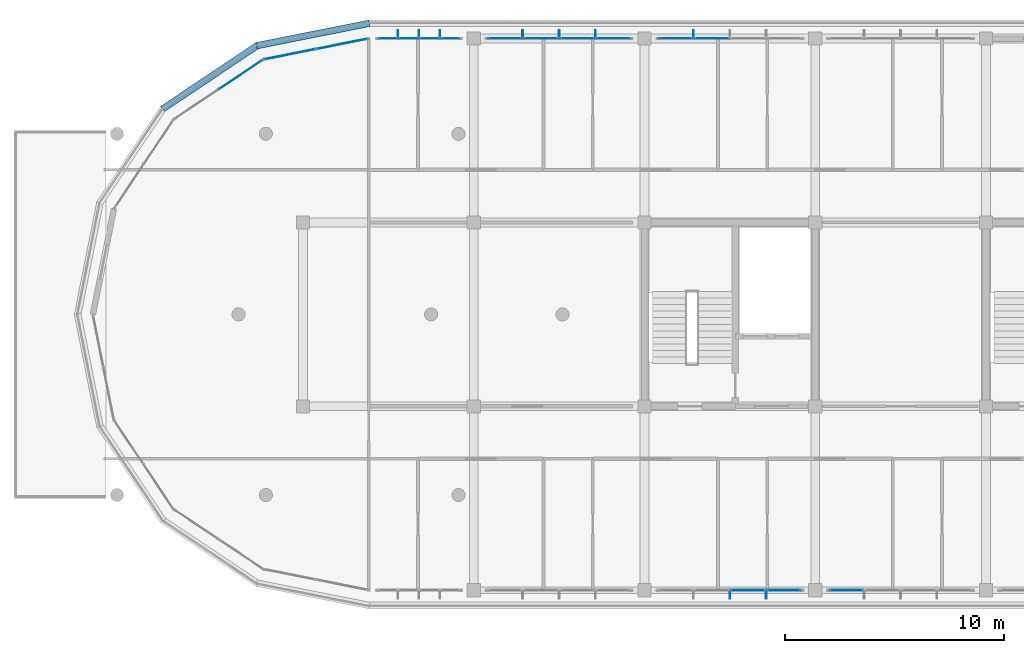
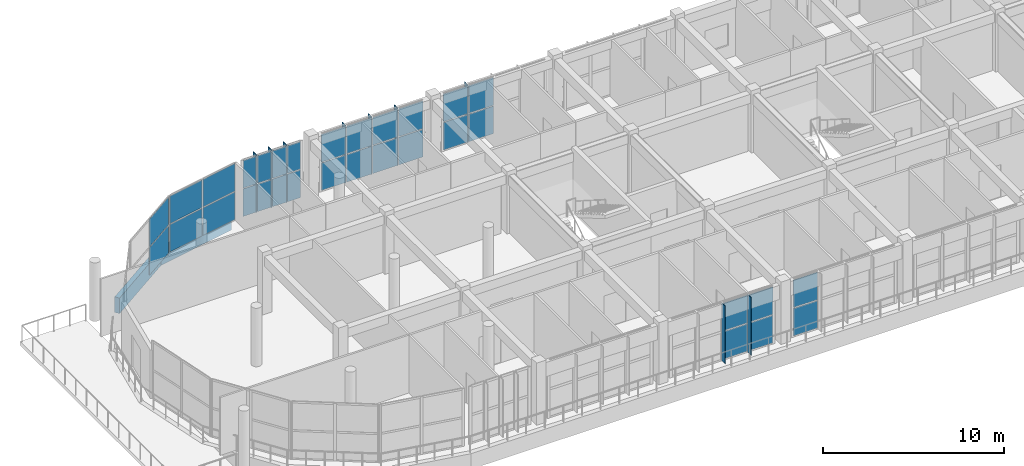
# One storey, part 37 of 56: 43 plates, 7 elements without a shape of their own.
"""IFC4 building model written with IfcOpenShell, lengths in metres."""

from ifc_helpers import new_model, si_unit, direction, frame, origin, origin_2d, place, context, subcontext, project, spatial, polyline, rectangle, outline, extrude, material, layer, layer_set, type_object, element, aggregate, save


model = new_model("IFC4")

# Units and contexts
model_context = context("Model", 3, precision=1e-05, world=origin(), true_north=direction((0.0, 1.0)))
body_context = subcontext(model_context, "Body", "Model", "MODEL_VIEW")
ifc_project = project(units=[si_unit("LENGTHUNIT", "METRE"), si_unit("AREAUNIT", "SQUARE_METRE"), si_unit("VOLUMEUNIT", "CUBIC_METRE"), si_unit("PLANEANGLEUNIT", "RADIAN"), si_unit("MASSUNIT", "GRAM", prefix="KILO")], contexts=[model_context])

# Site, building, storey
site_placement = place(None, origin())
site = spatial("IfcSite", under=ifc_project, at=site_placement, CompositionType="ELEMENT")
building_placement = place(site_placement, origin())
building = spatial("IfcBuilding", under=site, at=building_placement, Name="Zizhar Promenade General Hospital", CompositionType="ELEMENT")
storey_placement = place(building_placement, frame((0.0, 0.0, 26.39990234375)))
storey = spatial("IfcBuildingStorey", under=building, at=storey_placement, Name="L06", CompositionType="ELEMENT", Elevation=26.39990234375)

# Curtain wall, plates
ifc_material_1 = material(Name="Anodised aluminium 6063-T6 and low-E glass", Category="aluminium")
ifc_layer_1 = layer(ifc_material_1, 0.159912109375)
ifc_layer_set_1 = layer_set([ifc_layer_1], Name="Anodised aluminium 6063-T6 and low-E glass")
curtain_wall_type_1 = type_object("IfcCurtainWallType", Name="CW-WARD-RIB", PredefinedType="NOTDEFINED", material=ifc_layer_set_1)
curtain_wall_1_placement = place(storey_placement, origin())
curtain_wall_1 = element("IfcCurtainWall", 1, at=curtain_wall_1_placement, inside=storey, type_object=curtain_wall_type_1, Name="Ward Ribbon Curtain Wall L06-8-0", PredefinedType="NOTDEFINED")
ifc_material_2 = material(Name="Low-E solar-control glass", Category="glass")
ifc_layer_2 = layer(ifc_material_2, 0.031982421875)
ifc_layer_set_2 = layer_set([ifc_layer_2], Name="Low-E solar-control glass")
plate_type_1 = type_object("IfcPlateType", Name="CWP-GLZ-32", PredefinedType="CURTAIN_PANEL", material=ifc_layer_set_2)
plate_1_placement = place(storey_placement, frame((35.080078125, 25.199951171875, 0.06005859375), z_axis=(0.0, 0.0, 1.0), x_axis=(1.0, 0.0, 0.0)))
plate_1 = element("IfcPlate", 2, at=plate_1_placement, type_object=plate_type_1, Name="CW-13 panel 1.1", PredefinedType="CURTAIN_PANEL", context=body_context, shape_type="SweptSolid", body=[
    extrude(rectangle(XDim=0.840087890625, YDim=0.031982421875, at=origin_2d()), origin(), (0.0, 0.0, 1.0), 1.860107421875),
])
plate_2_placement = place(storey_placement, frame((35.080078125, 25.199951171875, 1.97998046875), z_axis=(0.0, 0.0, 1.0), x_axis=(1.0, 0.0, 0.0)))
plate_2 = element("IfcPlate", 3, at=plate_2_placement, type_object=plate_type_1, Name="CW-13 panel 1.2", PredefinedType="CURTAIN_PANEL", context=body_context, shape_type="SweptSolid", body=[
    extrude(rectangle(XDim=0.840087890625, YDim=0.031982421875, at=origin_2d()), origin(), (0.0, 0.0, 1.0), 1.860107421875),
])
plate_3_placement = place(storey_placement, frame((36.02001953125, 25.199951171875, 0.06005859375), z_axis=(0.0, 0.0, 1.0), x_axis=(1.0, 0.0, 0.0)))
plate_3 = element("IfcPlate", 4, at=plate_3_placement, type_object=plate_type_1, Name="CW-13 panel 2.1", PredefinedType="CURTAIN_PANEL", context=body_context, shape_type="SweptSolid", body=[
    extrude(rectangle(XDim=0.8798828125, YDim=0.031982421875, at=origin_2d()), origin(), (0.0, 0.0, 1.0), 1.860107421875),
])
plate_4_placement = place(storey_placement, frame((36.02001953125, 25.199951171875, 1.97998046875), z_axis=(0.0, 0.0, 1.0), x_axis=(1.0, 0.0, 0.0)))
plate_4 = element("IfcPlate", 5, at=plate_4_placement, type_object=plate_type_1, Name="CW-13 panel 2.2", PredefinedType="CURTAIN_PANEL", context=body_context, shape_type="SweptSolid", body=[
    extrude(rectangle(XDim=0.8798828125, YDim=0.031982421875, at=origin_2d()), origin(), (0.0, 0.0, 1.0), 1.860107421875),
])
plate_5_placement = place(storey_placement, frame((36.97998046875, 25.199951171875, 0.06005859375), z_axis=(0.0, 0.0, 1.0), x_axis=(1.0, 0.0, 0.0)))
plate_5 = element("IfcPlate", 6, at=plate_5_placement, type_object=plate_type_1, Name="CW-13 panel 3.1", PredefinedType="CURTAIN_PANEL", context=body_context, shape_type="SweptSolid", body=[
    extrude(rectangle(XDim=0.8798828125, YDim=0.031982421875, at=origin_2d()), origin(), (0.0, 0.0, 1.0), 1.860107421875),
])
plate_6_placement = place(storey_placement, frame((36.97998046875, 25.199951171875, 1.97998046875), z_axis=(0.0, 0.0, 1.0), x_axis=(1.0, 0.0, 0.0)))
plate_6 = element("IfcPlate", 7, at=plate_6_placement, type_object=plate_type_1, Name="CW-13 panel 3.2", PredefinedType="CURTAIN_PANEL", context=body_context, shape_type="SweptSolid", body=[
    extrude(rectangle(XDim=0.8798828125, YDim=0.031982421875, at=origin_2d()), origin(), (0.0, 0.0, 1.0), 1.860107421875),
])
plate_7_placement = place(storey_placement, frame((37.919921875, 25.199951171875, 0.06005859375), z_axis=(0.0, 0.0, 1.0), x_axis=(1.0, 0.0, 0.0)))
plate_7 = element("IfcPlate", 8, at=plate_7_placement, type_object=plate_type_1, Name="CW-13 panel 4.1", PredefinedType="CURTAIN_PANEL", context=body_context, shape_type="SweptSolid", body=[
    extrude(rectangle(XDim=0.840087890625, YDim=0.031982421875, at=origin_2d()), origin(), (0.0, 0.0, 1.0), 1.860107421875),
])
plate_8_placement = place(storey_placement, frame((37.919921875, 25.199951171875, 1.97998046875), z_axis=(0.0, 0.0, 1.0), x_axis=(1.0, 0.0, 0.0)))
plate_8 = element("IfcPlate", 9, at=plate_8_placement, type_object=plate_type_1, Name="CW-13 panel 4.2", PredefinedType="CURTAIN_PANEL", context=body_context, shape_type="SweptSolid", body=[
    extrude(rectangle(XDim=0.840087890625, YDim=0.031982421875, at=origin_2d()), origin(), (0.0, 0.0, 1.0), 1.860107421875),
])
aggregate(curtain_wall_1, [plate_1, plate_2, plate_3, plate_4, plate_5, plate_6, plate_7, plate_8])

curtain_wall_2_placement = place(storey_placement, origin())
curtain_wall_2 = element("IfcCurtainWall", 10, at=curtain_wall_2_placement, inside=storey, type_object=curtain_wall_type_1, Name="Ward Ribbon Curtain Wall L06-8-1", PredefinedType="NOTDEFINED")
plate_9_placement = place(storey_placement, frame((40.429931640625, 25.199951171875, 0.06005859375), z_axis=(0.0, 0.0, 1.0), x_axis=(1.0, 0.0, 0.0)))
plate_9 = element("IfcPlate", 11, at=plate_9_placement, type_object=plate_type_1, Name="CW-13 panel 1.1", PredefinedType="CURTAIN_PANEL", context=body_context, shape_type="SweptSolid", body=[
    extrude(rectangle(XDim=1.5400390625, YDim=0.031982421875, at=origin_2d()), origin(), (0.0, 0.0, 1.0), 1.860107421875),
])
plate_10_placement = place(storey_placement, frame((40.429931640625, 25.199951171875, 1.97998046875), z_axis=(0.0, 0.0, 1.0), x_axis=(1.0, 0.0, 0.0)))
plate_10 = element("IfcPlate", 12, at=plate_10_placement, type_object=plate_type_1, Name="CW-13 panel 1.2", PredefinedType="CURTAIN_PANEL", context=body_context, shape_type="SweptSolid", body=[
    extrude(rectangle(XDim=1.5400390625, YDim=0.031982421875, at=origin_2d()), origin(), (0.0, 0.0, 1.0), 1.860107421875),
])
plate_11_placement = place(storey_placement, frame((42.070068359375, 25.199951171875, 0.06005859375), z_axis=(0.0, 0.0, 1.0), x_axis=(1.0, 0.0, 0.0)))
plate_11 = element("IfcPlate", 13, at=plate_11_placement, type_object=plate_type_1, Name="CW-13 panel 2.1", PredefinedType="CURTAIN_PANEL", context=body_context, shape_type="SweptSolid", body=[
    extrude(rectangle(XDim=1.580078125, YDim=0.031982421875, at=origin_2d()), origin(), (0.0, 0.0, 1.0), 1.860107421875),
])
plate_12_placement = place(storey_placement, frame((42.070068359375, 25.199951171875, 1.97998046875), z_axis=(0.0, 0.0, 1.0), x_axis=(1.0, 0.0, 0.0)))
plate_12 = element("IfcPlate", 14, at=plate_12_placement, type_object=plate_type_1, Name="CW-13 panel 2.2", PredefinedType="CURTAIN_PANEL", context=body_context, shape_type="SweptSolid", body=[
    extrude(rectangle(XDim=1.580078125, YDim=0.031982421875, at=origin_2d()), origin(), (0.0, 0.0, 1.0), 1.860107421875),
])
plate_13_placement = place(storey_placement, frame((43.72998046875, 25.199951171875, 0.06005859375), z_axis=(0.0, 0.0, 1.0), x_axis=(1.0, 0.0, 0.0)))
plate_13 = element("IfcPlate", 15, at=plate_13_placement, type_object=plate_type_1, Name="CW-13 panel 3.1", PredefinedType="CURTAIN_PANEL", context=body_context, shape_type="SweptSolid", body=[
    extrude(rectangle(XDim=1.580078125, YDim=0.031982421875, at=origin_2d()), origin(), (0.0, 0.0, 1.0), 1.860107421875),
])
plate_14_placement = place(storey_placement, frame((43.72998046875, 25.199951171875, 1.97998046875), z_axis=(0.0, 0.0, 1.0), x_axis=(1.0, 0.0, 0.0)))
plate_14 = element("IfcPlate", 16, at=plate_14_placement, type_object=plate_type_1, Name="CW-13 panel 3.2", PredefinedType="CURTAIN_PANEL", context=body_context, shape_type="SweptSolid", body=[
    extrude(rectangle(XDim=1.580078125, YDim=0.031982421875, at=origin_2d()), origin(), (0.0, 0.0, 1.0), 1.860107421875),
])
plate_15_placement = place(storey_placement, frame((45.3701171875, 25.199951171875, 0.06005859375), z_axis=(0.0, 0.0, 1.0), x_axis=(1.0, 0.0, 0.0)))
plate_15 = element("IfcPlate", 17, at=plate_15_placement, type_object=plate_type_1, Name="CW-13 panel 4.1", PredefinedType="CURTAIN_PANEL", context=body_context, shape_type="SweptSolid", body=[
    extrude(rectangle(XDim=1.5400390625, YDim=0.031982421875, at=origin_2d()), origin(), (0.0, 0.0, 1.0), 1.860107421875),
])
plate_16_placement = place(storey_placement, frame((45.3701171875, 25.199951171875, 1.97998046875), z_axis=(0.0, 0.0, 1.0), x_axis=(1.0, 0.0, 0.0)))
plate_16 = element("IfcPlate", 18, at=plate_16_placement, type_object=plate_type_1, Name="CW-13 panel 4.2", PredefinedType="CURTAIN_PANEL", context=body_context, shape_type="SweptSolid", body=[
    extrude(rectangle(XDim=1.5400390625, YDim=0.031982421875, at=origin_2d()), origin(), (0.0, 0.0, 1.0), 1.860107421875),
])
aggregate(curtain_wall_2, [plate_9, plate_10, plate_11, plate_12, plate_13, plate_14, plate_15, plate_16])

curtain_wall_3_placement = place(storey_placement, origin())
curtain_wall_3 = element("IfcCurtainWall", 19, at=curtain_wall_3_placement, inside=storey, type_object=curtain_wall_type_1, Name="Ward Ribbon Curtain Wall L06-8-2", PredefinedType="NOTDEFINED")
plate_17_placement = place(storey_placement, frame((48.22998046875, 25.199951171875, 0.06005859375), z_axis=(0.0, 0.0, 1.0), x_axis=(1.0, 0.0, 0.0)))
plate_17 = element("IfcPlate", 20, at=plate_17_placement, type_object=plate_type_1, Name="CW-13 panel 1.1", PredefinedType="CURTAIN_PANEL", context=body_context, shape_type="SweptSolid", body=[
    extrude(rectangle(XDim=1.5400390625, YDim=0.031982421875, at=origin_2d()), origin(), (0.0, 0.0, 1.0), 1.860107421875),
])
plate_18_placement = place(storey_placement, frame((48.22998046875, 25.199951171875, 1.97998046875), z_axis=(0.0, 0.0, 1.0), x_axis=(1.0, 0.0, 0.0)))
plate_18 = element("IfcPlate", 21, at=plate_18_placement, type_object=plate_type_1, Name="CW-13 panel 1.2", PredefinedType="CURTAIN_PANEL", context=body_context, shape_type="SweptSolid", body=[
    extrude(rectangle(XDim=1.5400390625, YDim=0.031982421875, at=origin_2d()), origin(), (0.0, 0.0, 1.0), 1.860107421875),
])
plate_19_placement = place(storey_placement, frame((49.8701171875, 25.199951171875, 0.06005859375), z_axis=(0.0, 0.0, 1.0), x_axis=(1.0, 0.0, 0.0)))
plate_19 = element("IfcPlate", 22, at=plate_19_placement, type_object=plate_type_1, Name="CW-13 panel 2.1", PredefinedType="CURTAIN_PANEL", context=body_context, shape_type="SweptSolid", body=[
    extrude(rectangle(XDim=1.580078125, YDim=0.031982421875, at=origin_2d()), origin(), (0.0, 0.0, 1.0), 1.860107421875),
])
plate_20_placement = place(storey_placement, frame((49.8701171875, 25.199951171875, 1.97998046875), z_axis=(0.0, 0.0, 1.0), x_axis=(1.0, 0.0, 0.0)))
plate_20 = element("IfcPlate", 23, at=plate_20_placement, type_object=plate_type_1, Name="CW-13 panel 2.2", PredefinedType="CURTAIN_PANEL", context=body_context, shape_type="SweptSolid", body=[
    extrude(rectangle(XDim=1.580078125, YDim=0.031982421875, at=origin_2d()), origin(), (0.0, 0.0, 1.0), 1.860107421875),
])
aggregate(curtain_wall_3, [plate_17, plate_18, plate_19, plate_20])

ifc_material_3 = material(Name="Anodised aluminium 6063-T6 and low-E glass", Category="aluminium")
ifc_layer_3 = layer(ifc_material_3, 0.159912109375)
ifc_layer_set_3 = layer_set([ifc_layer_3], Name="Anodised aluminium 6063-T6 and low-E glass")
curtain_wall_type_2 = type_object("IfcCurtainWallType", Name="CW-WARD-ARC", PredefinedType="NOTDEFINED", material=ifc_layer_set_3)
curtain_wall_4_placement = place(storey_placement, origin())
curtain_wall_4 = element("IfcCurtainWall", 24, at=curtain_wall_4_placement, inside=storey, type_object=curtain_wall_type_2, Name="Ward Semicircular End Glazing L06-10", PredefinedType="NOTDEFINED")
plate_21_placement = place(storey_placement, frame((30.598388671875, 24.483642578125, 0.06005859375), z_axis=(0.0, 0.0, 1.0), x_axis=(0.980785889615, 0.195087259275, 0.0)))
plate_21 = element("IfcPlate", 25, at=plate_21_placement, type_object=plate_type_1, Name="CW-12 panel 1.1", PredefinedType="CURTAIN_PANEL", context=body_context, shape_type="SweptSolid", body=[
    extrude(rectangle(XDim=2.3681640625, YDim=0.031982421875, at=origin_2d()), origin(), (0.0, 0.0, 1.0), 1.860107421875),
])
plate_22_placement = place(storey_placement, frame((30.598388671875, 24.483642578125, 1.97998046875), z_axis=(0.0, 0.0, 1.0), x_axis=(0.980785889615, 0.195087259275, 0.0)))
plate_22 = element("IfcPlate", 26, at=plate_22_placement, type_object=plate_type_1, Name="CW-12 panel 1.2", PredefinedType="CURTAIN_PANEL", context=body_context, shape_type="SweptSolid", body=[
    extrude(rectangle(XDim=2.3681640625, YDim=0.031982421875, at=origin_2d()), origin(), (0.0, 0.0, 1.0), 1.860107421875),
])
plate_23_placement = place(storey_placement, frame((32.979736328125, 24.957275390625, 0.06005859375), z_axis=(0.0, 0.0, 1.0), x_axis=(0.980785889615, 0.195087259275, 0.0)))
plate_23 = element("IfcPlate", 27, at=plate_23_placement, type_object=plate_type_1, Name="CW-12 panel 2.1", PredefinedType="CURTAIN_PANEL", context=body_context, shape_type="SweptSolid", body=[
    extrude(rectangle(XDim=2.3681640625, YDim=0.031982421875, at=origin_2d()), origin(), (0.0, 0.0, 1.0), 1.860107421875),
])
plate_24_placement = place(storey_placement, frame((32.979736328125, 24.957275390625, 1.97998046875), z_axis=(0.0, 0.0, 1.0), x_axis=(0.980785889615, 0.195087259275, 0.0)))
plate_24 = element("IfcPlate", 28, at=plate_24_placement, type_object=plate_type_1, Name="CW-12 panel 2.2", PredefinedType="CURTAIN_PANEL", context=body_context, shape_type="SweptSolid", body=[
    extrude(rectangle(XDim=2.3681640625, YDim=0.031982421875, at=origin_2d()), origin(), (0.0, 0.0, 1.0), 1.860107421875),
])
aggregate(curtain_wall_4, [plate_21, plate_22, plate_23, plate_24])

curtain_wall_5_placement = place(storey_placement, origin())
curtain_wall_5 = element("IfcCurtainWall", 29, at=curtain_wall_5_placement, inside=storey, type_object=curtain_wall_type_2, Name="Ward Semicircular End Glazing L06-11", PredefinedType="NOTDEFINED")
plate_25_placement = place(storey_placement, frame((28.34375, 23.5498046875, 0.06005859375), z_axis=(0.0, 0.0, 1.0), x_axis=(0.831461514468, 0.555582352095, 0.0)))
plate_25 = element("IfcPlate", 30, at=plate_25_placement, type_object=plate_type_1, Name="CW-12 panel 2.1", PredefinedType="CURTAIN_PANEL", context=body_context, shape_type="SweptSolid", body=[
    extrude(rectangle(XDim=2.3681640625, YDim=0.031982421875, at=origin_2d()), origin(), (0.0, 0.0, 1.0), 1.860107421875),
])
plate_26_placement = place(storey_placement, frame((28.34375, 23.5498046875, 1.97998046875), z_axis=(0.0, 0.0, 1.0), x_axis=(0.831461514468, 0.555582352095, 0.0)))
plate_26 = element("IfcPlate", 31, at=plate_26_placement, type_object=plate_type_1, Name="CW-12 panel 2.2", PredefinedType="CURTAIN_PANEL", context=body_context, shape_type="SweptSolid", body=[
    extrude(rectangle(XDim=2.3681640625, YDim=0.031982421875, at=origin_2d()), origin(), (0.0, 0.0, 1.0), 1.860107421875),
])
aggregate(curtain_wall_5, [plate_25, plate_26])

curtain_wall_6_placement = place(storey_placement, origin())
curtain_wall_6 = element("IfcCurtainWall", 32, at=curtain_wall_6_placement, inside=storey, type_object=curtain_wall_type_1, Name="Ward Ribbon Curtain Wall L06-17-7", PredefinedType="NOTDEFINED")
plate_27_placement = place(storey_placement, frame((56.030029296875, 0.0, 0.06005859375), z_axis=(0.0, 0.0, 1.0), x_axis=(-1.0, 0.0, 0.0)))
plate_27 = element("IfcPlate", 33, at=plate_27_placement, type_object=plate_type_1, Name="CW-13 panel 4.1", PredefinedType="CURTAIN_PANEL", context=body_context, shape_type="SweptSolid", body=[
    extrude(rectangle(XDim=1.5400390625, YDim=0.031982421875, at=origin_2d()), origin(), (0.0, 0.0, 1.0), 1.860107421875),
])
plate_28_placement = place(storey_placement, frame((56.030029296875, 0.0, 1.97998046875), z_axis=(0.0, 0.0, 1.0), x_axis=(-1.0, 0.0, 0.0)))
plate_28 = element("IfcPlate", 34, at=plate_28_placement, type_object=plate_type_1, Name="CW-13 panel 4.2", PredefinedType="CURTAIN_PANEL", context=body_context, shape_type="SweptSolid", body=[
    extrude(rectangle(XDim=1.5400390625, YDim=0.031982421875, at=origin_2d()), origin(), (0.0, 0.0, 1.0), 1.860107421875),
])
aggregate(curtain_wall_6, [plate_27, plate_28])

curtain_wall_7_placement = place(storey_placement, origin())
curtain_wall_7 = element("IfcCurtainWall", 35, at=curtain_wall_7_placement, inside=storey, type_object=curtain_wall_type_1, Name="Ward Ribbon Curtain Wall L06-17-8", PredefinedType="NOTDEFINED")
plate_29_placement = place(storey_placement, frame((53.169921875, 0.0, 0.06005859375), z_axis=(0.0, 0.0, 1.0), x_axis=(-1.0, 0.0, 0.0)))
plate_29 = element("IfcPlate", 36, at=plate_29_placement, type_object=plate_type_1, Name="CW-13 panel 1.1", PredefinedType="CURTAIN_PANEL", context=body_context, shape_type="SweptSolid", body=[
    extrude(rectangle(XDim=1.5400390625, YDim=0.031982421875, at=origin_2d()), origin(), (0.0, 0.0, 1.0), 1.860107421875),
])
plate_30_placement = place(storey_placement, frame((53.169921875, 0.0, 1.97998046875), z_axis=(0.0, 0.0, 1.0), x_axis=(-1.0, 0.0, 0.0)))
plate_30 = element("IfcPlate", 37, at=plate_30_placement, type_object=plate_type_1, Name="CW-13 panel 1.2", PredefinedType="CURTAIN_PANEL", context=body_context, shape_type="SweptSolid", body=[
    extrude(rectangle(XDim=1.5400390625, YDim=0.031982421875, at=origin_2d()), origin(), (0.0, 0.0, 1.0), 1.860107421875),
])
plate_31_placement = place(storey_placement, frame((51.530029296875, 0.0, 0.06005859375), z_axis=(0.0, 0.0, 1.0), x_axis=(-1.0, 0.0, 0.0)))
plate_31 = element("IfcPlate", 38, at=plate_31_placement, type_object=plate_type_1, Name="CW-13 panel 2.1", PredefinedType="CURTAIN_PANEL", context=body_context, shape_type="SweptSolid", body=[
    extrude(rectangle(XDim=1.580078125, YDim=0.031982421875, at=origin_2d()), origin(), (0.0, 0.0, 1.0), 1.860107421875),
])
plate_32_placement = place(storey_placement, frame((51.530029296875, 0.0, 1.97998046875), z_axis=(0.0, 0.0, 1.0), x_axis=(-1.0, 0.0, 0.0)))
plate_32 = element("IfcPlate", 39, at=plate_32_placement, type_object=plate_type_1, Name="CW-13 panel 2.2", PredefinedType="CURTAIN_PANEL", context=body_context, shape_type="SweptSolid", body=[
    extrude(rectangle(XDim=1.580078125, YDim=0.031982421875, at=origin_2d()), origin(), (0.0, 0.0, 1.0), 1.860107421875),
])
aggregate(curtain_wall_7, [plate_29, plate_30, plate_31, plate_32])

# Plates
ifc_material_4 = material(Name="Anodised aluminium 6063-T6", Category="aluminium")
ifc_layer_4 = layer(ifc_material_4, 0.035888671875)
ifc_layer_set_4 = layer_set([ifc_layer_4], Name="Anodised aluminium 6063-T6")
plate_type_2 = type_object("IfcPlateType", Name="FIN-ALU-380", PredefinedType="USERDEFINED", material=ifc_layer_set_4)
plate_33_placement = place(storey_placement, origin())
element("IfcPlate", 40, at=plate_33_placement, inside=storey, type_object=plate_type_2, Name="Ward Ribbon Curtain Wall L06-8-0 Solar Fin 1", ObjectType="SOLAR_SHADE", PredefinedType="USERDEFINED", context=body_context, shape_type="SweptSolid", body=[
    extrude(outline(polyline([(35.52197265625, 25.199951171875), (35.55810546875, 25.199951171875), (35.55810546875, 25.580078125), (35.52197265625, 25.580078125), (35.52197265625, 25.199951171875)])), origin(), (0.0, 0.0, 1.0), 3.900146484375),
])
plate_34_placement = place(storey_placement, origin())
element("IfcPlate", 41, at=plate_34_placement, inside=storey, type_object=plate_type_2, Name="Ward Ribbon Curtain Wall L06-8-0 Solar Fin 2", ObjectType="SOLAR_SHADE", PredefinedType="USERDEFINED", context=body_context, shape_type="SweptSolid", body=[
    extrude(outline(polyline([(36.48193359375, 25.199951171875), (36.51806640625, 25.199951171875), (36.51806640625, 25.580078125), (36.48193359375, 25.580078125), (36.48193359375, 25.199951171875)])), origin(), (0.0, 0.0, 1.0), 3.900146484375),
])
plate_35_placement = place(storey_placement, origin())
element("IfcPlate", 42, at=plate_35_placement, inside=storey, type_object=plate_type_2, Name="Ward Ribbon Curtain Wall L06-8-0 Solar Fin 3", ObjectType="SOLAR_SHADE", PredefinedType="USERDEFINED", context=body_context, shape_type="SweptSolid", body=[
    extrude(outline(polyline([(37.44189453125, 25.199951171875), (37.47802734375, 25.199951171875), (37.47802734375, 25.580078125), (37.44189453125, 25.580078125), (37.44189453125, 25.199951171875)])), origin(), (0.0, 0.0, 1.0), 3.900146484375),
])
plate_36_placement = place(storey_placement, origin())
element("IfcPlate", 43, at=plate_36_placement, inside=storey, type_object=plate_type_2, Name="Ward Ribbon Curtain Wall L06-8-1 Solar Fin 1", ObjectType="SOLAR_SHADE", PredefinedType="USERDEFINED", context=body_context, shape_type="SweptSolid", body=[
    extrude(outline(polyline([(41.221923828125, 25.199951171875), (41.258056640625, 25.199951171875), (41.258056640625, 25.580078125), (41.221923828125, 25.580078125), (41.221923828125, 25.199951171875)])), origin(), (0.0, 0.0, 1.0), 3.900146484375),
])
plate_37_placement = place(storey_placement, origin())
element("IfcPlate", 44, at=plate_37_placement, inside=storey, type_object=plate_type_2, Name="Ward Ribbon Curtain Wall L06-8-1 Solar Fin 2", ObjectType="SOLAR_SHADE", PredefinedType="USERDEFINED", context=body_context, shape_type="SweptSolid", body=[
    extrude(outline(polyline([(42.882080078125, 25.199951171875), (42.91796875, 25.199951171875), (42.91796875, 25.580078125), (42.882080078125, 25.580078125), (42.882080078125, 25.199951171875)])), origin(), (0.0, 0.0, 1.0), 3.900146484375),
])
plate_38_placement = place(storey_placement, origin())
element("IfcPlate", 45, at=plate_38_placement, inside=storey, type_object=plate_type_2, Name="Ward Ribbon Curtain Wall L06-8-1 Solar Fin 3", ObjectType="SOLAR_SHADE", PredefinedType="USERDEFINED", context=body_context, shape_type="SweptSolid", body=[
    extrude(outline(polyline([(44.5419921875, 25.199951171875), (44.577880859375, 25.199951171875), (44.577880859375, 25.580078125), (44.5419921875, 25.580078125), (44.5419921875, 25.199951171875)])), origin(), (0.0, 0.0, 1.0), 3.900146484375),
])
plate_39_placement = place(storey_placement, origin())
element("IfcPlate", 46, at=plate_39_placement, inside=storey, type_object=plate_type_2, Name="Ward Ribbon Curtain Wall L06-8-2 Solar Fin 1", ObjectType="SOLAR_SHADE", PredefinedType="USERDEFINED", context=body_context, shape_type="SweptSolid", body=[
    extrude(outline(polyline([(49.02197265625, 25.199951171875), (49.05810546875, 25.199951171875), (49.05810546875, 25.580078125), (49.02197265625, 25.580078125), (49.02197265625, 25.199951171875)])), origin(), (0.0, 0.0, 1.0), 3.900146484375),
])
plate_40_placement = place(storey_placement, origin())
element("IfcPlate", 47, at=plate_40_placement, inside=storey, type_object=plate_type_2, Name="Ward Ribbon Curtain Wall L06-17-8 Solar Fin 1", ObjectType="SOLAR_SHADE", PredefinedType="USERDEFINED", context=body_context, shape_type="SweptSolid", body=[
    extrude(outline(polyline([(52.3779296875, 0.0), (52.342041015625, 0.0), (52.342041015625, -0.3798828125), (52.3779296875, -0.3798828125), (52.3779296875, 0.0)])), origin(), (0.0, 0.0, 1.0), 3.900146484375),
])
plate_41_placement = place(storey_placement, origin())
element("IfcPlate", 48, at=plate_41_placement, inside=storey, type_object=plate_type_2, Name="Ward Ribbon Curtain Wall L06-17-8 Solar Fin 2", ObjectType="SOLAR_SHADE", PredefinedType="USERDEFINED", context=body_context, shape_type="SweptSolid", body=[
    extrude(outline(polyline([(50.718017578125, 0.0), (50.681884765625, 0.0), (50.681884765625, -0.3798828125), (50.718017578125, -0.3798828125), (50.718017578125, 0.0)])), origin(), (0.0, 0.0, 1.0), 3.900146484375),
])
ifc_material_5 = material(Name="Precast concrete C40/50", Category="concrete")
ifc_layer_5 = layer(ifc_material_5, 0.300048828125)
ifc_layer_set_5 = layer_set([ifc_layer_5], Name="Precast concrete C40/50")
plate_type_3 = type_object("IfcPlateType", Name="PL-PC-BAND1100", PredefinedType="USERDEFINED", material=ifc_layer_set_5)
plate_42_placement = place(storey_placement, frame((0.0, 0.0, -1.0498046875)))
element("IfcPlate", 49, at=plate_42_placement, inside=storey, type_object=plate_type_3, Name="Ward Precast Slab Band L06-10", ObjectType="FASCIA_BAND", PredefinedType="USERDEFINED", context=body_context, shape_type="SweptSolid", body=[
    extrude(outline(polyline([(34.199951171875, 26.050048828125), (29.052978515625, 25.026123046875), (29.111328125, 24.73193359375), (34.258544921875, 25.755859375), (34.199951171875, 26.050048828125)])), origin(), (0.0, 0.0, 1.0), 1.0498046875),
])
plate_43_placement = place(storey_placement, frame((0.0, 0.0, -1.0498046875)))
element("IfcPlate", 50, at=plate_43_placement, inside=storey, type_object=plate_type_3, Name="Ward Precast Slab Band L06-11", ObjectType="FASCIA_BAND", PredefinedType="USERDEFINED", context=body_context, shape_type="SweptSolid", body=[
    extrude(outline(polyline([(29.052978515625, 25.026123046875), (24.689453125, 22.110595703125), (24.856201171875, 21.861083984375), (29.219482421875, 24.77685546875), (29.052978515625, 25.026123046875)])), origin(), (0.0, 0.0, 1.0), 1.0498046875),
])

save(model, "model.ifc")
